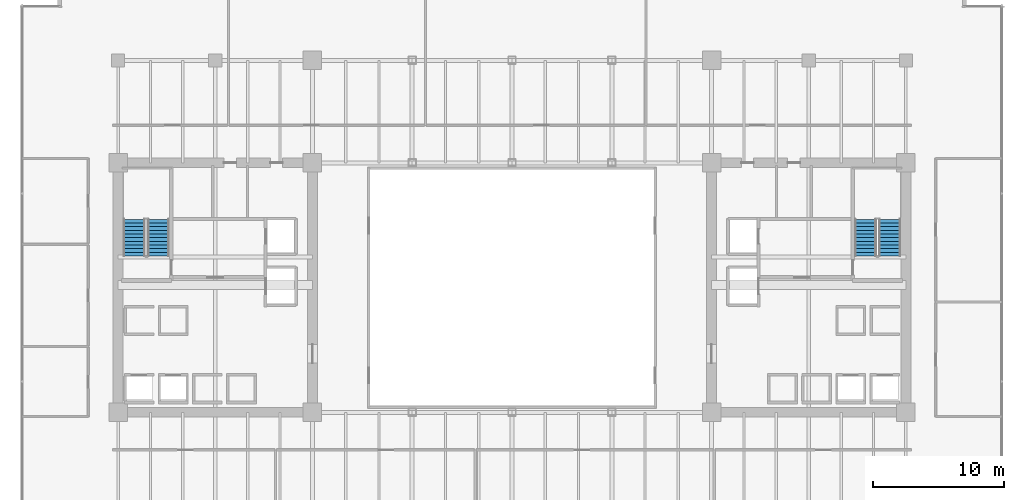
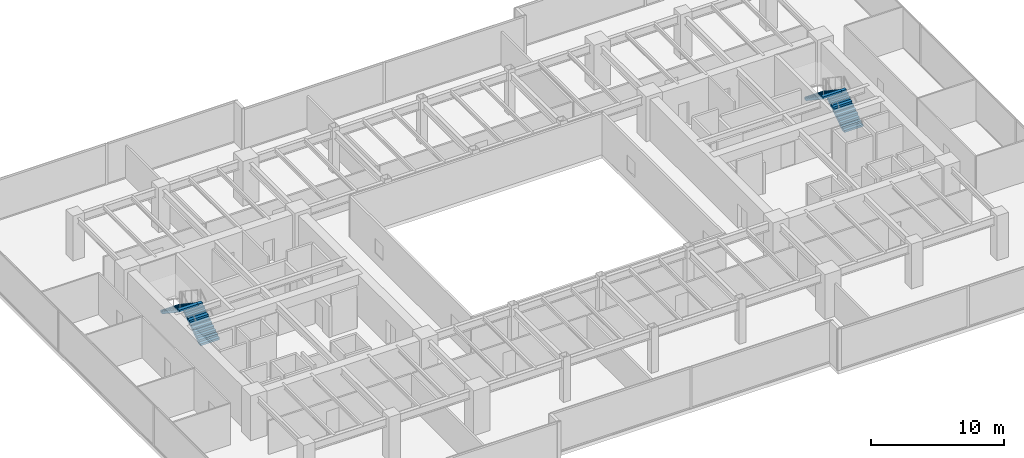
# One storey, part 33 of 35: 4 stair flights, 2 elements without a shape of their own.
"""IFC4 building model written with IfcOpenShell, lengths in metres."""

import ifcopenshell
import ifcopenshell.guid

model = None  # the IFC model being written
_history = None  # IfcOwnerHistory: only IFC2X3 demands one
_inside = {}  # id of a spatial element -> (the spatial element, [elements in it])
_under = {}  # id of a project, library or spatial element -> (it, [spatial elements below it])
_declared = {}  # id of a project -> (the project, [libraries it declares])
_typed = {}  # id of a type object -> (the type object, [elements of that type])
_made_of = {}  # id of a material, layer set ... -> (it, [elements and type objects made of it])


def new_model(schema):
    """Start an empty IFC model of exactly this schema.

    Asked for "IFC4X3", IfcOpenShell would pick the latest addendum, in which some entities
    have other attributes; the version numbers below select the first issue.
    IFC2X3 requires an IfcOwnerHistory on every rooted entity: one is made here for all.
    """
    global model, _history
    if schema == "IFC4X3":
        model = ifcopenshell.file(schema_version=(4, 3, 0, 0))
    else:
        model = ifcopenshell.file(schema=schema)
    _inside.clear()
    _under.clear()
    _declared.clear()
    _typed.clear()
    _made_of.clear()
    _history = None
    if model.schema == "IFC2X3":
        org = make("IfcOrganization", Name="unknown")
        user = make(
            "IfcPersonAndOrganization",
            ThePerson=make("IfcPerson", FamilyName="unknown"),
            TheOrganization=org,
        )
        app = make(
            "IfcApplication",
            ApplicationDeveloper=org,
            Version="unknown",
            ApplicationFullName="unknown",
            ApplicationIdentifier="unknown",
        )
        _history = make(
            "IfcOwnerHistory",
            OwningUser=user,
            OwningApplication=app,
            ChangeAction="ADDED",
            CreationDate=0,
        )
    return model


def make(cls, **values):
    """One entity of the class cls with the attributes given. An attribute that is None is left unset."""
    return model.create_entity(
        cls, **{name: value for name, value in values.items() if value is not None}
    )


def rooted(cls, **values):
    """An entity with a GlobalId (a new one), such as an element, a storey or a relation."""
    return make(cls, GlobalId=ifcopenshell.guid.new(), OwnerHistory=_history, **values)


def si_unit(unit_type, name, prefix=None):
    """IfcSIUnit, for example si_unit("LENGTHUNIT", "METRE", prefix="MILLI")."""
    return make("IfcSIUnit", UnitType=unit_type, Prefix=prefix, Name=name)


def assignment(units):
    """IfcUnitAssignment: the units of a project."""
    return None if units is None else make("IfcUnitAssignment", Units=units)


def point(xyz):
    """IfcCartesianPoint."""
    return None if xyz is None else make("IfcCartesianPoint", Coordinates=xyz)


def direction(xyz):
    """IfcDirection."""
    return None if xyz is None else make("IfcDirection", DirectionRatios=xyz)


def frame(location, z_axis=None, x_axis=None):
    """IfcAxis2Placement3D, a coordinate frame: its origin and axes. An axis left out is left unset."""
    return make(
        "IfcAxis2Placement3D",
        Location=point(location),
        Axis=direction(z_axis),
        RefDirection=direction(x_axis),
    )


def origin():
    """The frame at (0, 0, 0) with its axes left unset."""
    return frame((0.0, 0.0, 0.0))


def place(relative_to, where):
    """IfcLocalPlacement: puts the frame where relative to a parent placement (None: the world)."""
    return make(
        "IfcLocalPlacement", PlacementRelTo=relative_to, RelativePlacement=where
    )


def context(
    kind, dimensions, precision=None, world=None, true_north=None, identifier=None
):
    """IfcGeometricRepresentationContext, for example the 3D "Model" context."""
    return make(
        "IfcGeometricRepresentationContext",
        ContextIdentifier=identifier,
        ContextType=kind,
        CoordinateSpaceDimension=dimensions,
        Precision=precision,
        WorldCoordinateSystem=world,
        TrueNorth=true_north,
    )


def subcontext(parent, identifier, kind, view, scale=None):
    """IfcGeometricRepresentationSubContext, for example "Body" below "Model"."""
    return make(
        "IfcGeometricRepresentationSubContext",
        ContextIdentifier=identifier,
        ContextType=kind,
        ParentContext=parent,
        TargetScale=scale,
        TargetView=view,
    )


def project(units=None, contexts=None):
    """IfcProject with its units and contexts."""
    return rooted(
        "IfcProject",
        Name="project",
        RepresentationContexts=contexts,
        UnitsInContext=assignment(units),
    )


def spatial(cls, under=None, at=None, **own):
    """A site, building, storey or space (cls), placed at a placement, below another one or the project."""
    s = rooted(cls, ObjectPlacement=at, **own)
    if under is not None:
        _under.setdefault(under.id(), (under, []))[1].append(s)
    return s


def polyline(points):
    """IfcPolyline through the points."""
    return make("IfcPolyline", Points=[point(p) for p in points])


def outline(outer, holes=None, kind="AREA"):
    """IfcArbitraryClosedProfileDef: a profile drawn as a closed curve; with holes, ...WithVoids."""
    if holes is None:
        return make("IfcArbitraryClosedProfileDef", ProfileType=kind, OuterCurve=outer)
    return make(
        "IfcArbitraryProfileDefWithVoids",
        ProfileType=kind,
        OuterCurve=outer,
        InnerCurves=holes,
    )


def extrude(swept, where, along, depth):
    """IfcExtrudedAreaSolid: the profile swept, set in the frame where, extruded along a direction by depth."""
    return make(
        "IfcExtrudedAreaSolid",
        SweptArea=swept,
        Position=where,
        ExtrudedDirection=direction(along),
        Depth=depth,
    )


def shape(context_of_items, identifier, shape_type, items):
    """IfcShapeRepresentation: the items that make up one representation, for example the "Body"."""
    return make(
        "IfcShapeRepresentation",
        ContextOfItems=context_of_items,
        RepresentationIdentifier=identifier,
        RepresentationType=shape_type,
        Items=items,
    )


def source(mapping_origin, context_of_items, identifier, shape_type, items):
    """IfcRepresentationMap: a shape defined once, which mapped items show again and again."""
    return make(
        "IfcRepresentationMap",
        MappingOrigin=mapping_origin,
        MappedRepresentation=shape(context_of_items, identifier, shape_type, items),
    )


def transform(
    local_origin,
    x_axis=None,
    y_axis=None,
    z_axis=None,
    scale=None,
    scale2=None,
    scale3=None,
    uniform=True,
):
    """IfcCartesianTransformationOperator3D, or its non-uniform kind. x_axis, y_axis, z_axis: its Axis1, 2, 3."""
    if uniform:
        return make(
            "IfcCartesianTransformationOperator3D",
            Axis1=direction(x_axis),
            Axis2=direction(y_axis),
            LocalOrigin=point(local_origin),
            Scale=scale,
            Axis3=direction(z_axis),
        )
    return make(
        "IfcCartesianTransformationOperator3DnonUniform",
        Axis1=direction(x_axis),
        Axis2=direction(y_axis),
        LocalOrigin=point(local_origin),
        Scale=scale,
        Axis3=direction(z_axis),
        Scale2=scale2,
        Scale3=scale3,
    )


def mapped(mapping_source, mapping_target):
    """IfcMappedItem: shows the shape of a source again, moved by a transform."""
    return make(
        "IfcMappedItem", MappingSource=mapping_source, MappingTarget=mapping_target
    )


def material(Name=None, Category=None):
    """IfcMaterial."""
    return make("IfcMaterial", Name=Name, Category=Category)


def made_of(thing, what):
    """Note that an element or type object is made of a material, layer set ...; save() writes the relation."""
    if what is not None:
        _made_of.setdefault(what.id(), (what, []))[1].append(thing)
    return thing


def type_object(cls, material=None, **own):
    """A type object (cls), such as IfcWallType, which elements share."""
    return made_of(rooted(cls, **own), material)


def type_shapes(of_type, sources):
    """Give a type object the sources (RepresentationMaps) that its elements show as mapped items."""
    of_type.RepresentationMaps = sources


def element(
    cls,
    number,
    at=None,
    inside=None,
    cuts=None,
    type_object=None,
    material=None,
    context=None,
    identifier="Body",
    shape_type=None,
    held_by="IfcProductDefinitionShape",
    body=None,
    shapes=None,
    **own,
):
    """One element of the class cls, such as IfcWall. Its Tag is "e" and its number.

    at: its placement. inside: the storey or other place that contains it. cuts: it is an
    opening in that element (IfcRelVoidsElement). A single representation is given by context,
    identifier, shape_type and body (its items); several are given by shapes. held_by: the class
    of the entity that holds the representations. save() writes the other relations.
    """
    e = rooted(cls, Tag="e%d" % number, ObjectPlacement=at, **own)
    if body is not None:
        shapes = [shape(context, identifier, shape_type, body)]
    if shapes is not None:
        e.Representation = make(held_by, Representations=shapes)
    if inside is not None:
        _inside.setdefault(inside.id(), (inside, []))[1].append(e)
    if cuts is not None:
        rooted(
            "IfcRelVoidsElement", RelatingBuildingElement=cuts, RelatedOpeningElement=e
        )
    if type_object is not None:
        _typed.setdefault(type_object.id(), (type_object, []))[1].append(e)
    return made_of(e, material)


def aggregate(whole, parts):
    """IfcRelAggregates: a whole, such as a stair, and the parts it consists of."""
    return rooted("IfcRelAggregates", RelatingObject=whole, RelatedObjects=parts)


def save(model, path):
    """Write the relations noted so far, then the file.

    IfcRelAggregates (storeys below a building ...), IfcRelContainedInSpatialStructure (elements
    in a storey), IfcRelDefinesByType, IfcRelAssociatesMaterial and IfcRelDeclares: one each for
    every whole, place, type object, material and project.
    """
    for whole, parts in _under.values():
        aggregate(whole, parts)
    for where, things in _inside.values():
        rooted(
            "IfcRelContainedInSpatialStructure",
            RelatedElements=things,
            RelatingStructure=where,
        )
    for kind, things in _typed.values():
        rooted("IfcRelDefinesByType", RelatedObjects=things, RelatingType=kind)
    for what, things in _made_of.values():
        rooted("IfcRelAssociatesMaterial", RelatedObjects=things, RelatingMaterial=what)
    for by, libraries in _declared.values():
        rooted("IfcRelDeclares", RelatingContext=by, RelatedDefinitions=libraries)
    model.write(path)


model = new_model("IFC4")

# Units and contexts
model_context = context("Model", 3, precision=1e-05, world=origin(), true_north=direction((0.0, 1.0)))
body_context = subcontext(model_context, "Body", "Model", "MODEL_VIEW")
ifc_project = project(units=[si_unit("LENGTHUNIT", "METRE"), si_unit("AREAUNIT", "SQUARE_METRE"), si_unit("VOLUMEUNIT", "CUBIC_METRE"), si_unit("PLANEANGLEUNIT", "RADIAN"), si_unit("MASSUNIT", "GRAM", prefix="KILO")], contexts=[model_context])

# Site, building, storey
site_placement = place(None, origin())
site = spatial("IfcSite", under=ifc_project, at=site_placement, CompositionType="ELEMENT")
building_placement = place(site_placement, origin())
building = spatial("IfcBuilding", under=site, at=building_placement, Name="Haelvirn Gate Laboratories", CompositionType="ELEMENT")
storey_placement = place(building_placement, frame((0.0, 0.0, 37.5)))
storey = spatial("IfcBuildingStorey", under=building, at=storey_placement, Name="L09", CompositionType="ELEMENT", Elevation=37.5)

# Stair, stair flights
ifc_material = material(Name="Concrete C40/50", Category="concrete")
stair_type = type_object("IfcStairType", Name="ST-DOG-1650-R22", PredefinedType="HALF_TURN_STAIR", material=ifc_material)
stair_1_placement = place(storey_placement, origin())
stair_1 = element("IfcStair", 1, at=stair_1_placement, inside=storey, type_object=stair_type, Name="L09 Escape Stair ST1", PredefinedType="HALF_TURN_STAIR")
stair_flight_type = type_object("IfcStairFlightType", Name="STF-1650-R11", PredefinedType="STRAIGHT", material=ifc_material)
shared_shape = source(origin(), body_context, "Body", "SweptSolid", [
    extrude(outline(polyline([(0.0, 0.0), (0.0, 0.186279296875), (0.280029296875, 0.186279296875), (0.280029296875, 0.372802734375), (0.56005859375, 0.372802734375), (0.56005859375, 0.55908203125), (0.840087890625, 0.55908203125), (0.840087890625, 0.745361328125), (1.1201171875, 0.745361328125), (1.1201171875, 0.931884765625), (1.39990234375, 0.931884765625), (1.39990234375, 1.1181640625), (1.679931640625, 1.1181640625), (1.679931640625, 1.304443359375), (1.9599609375, 1.304443359375), (1.9599609375, 1.490966796875), (2.239990234375, 1.490966796875), (2.239990234375, 1.67724609375), (2.52001953125, 1.67724609375), (2.52001953125, 1.863525390625), (2.800048828125, 1.863525390625), (2.800048828125, 2.050048828125), (2.800048828125, 1.671630859375), (0.28857421875, 0.0), (0.0, 0.0)])), frame((0.0, 0.824951171875, 0.0), z_axis=(0.0, -1.0, 0.0), x_axis=(1.0, 0.0, 0.0)), (0.0, 0.0, 1.0), 1.64990234375),
])
type_shapes(stair_flight_type, [shared_shape])
stair_flight_1_placement = place(storey_placement, frame((10.47509765625, 26.699951171875, 0.0), z_axis=(0.0, 0.0, 1.0), x_axis=(0.0, 1.0, 0.0)))
stair_flight_1 = element("IfcStairFlight", 2, at=stair_flight_1_placement, type_object=stair_flight_type, Name="ST1 flight 1", NumberOfRisers=11, NumberOfTreads=10, PredefinedType="STRAIGHT", RiserHeight=0.186363636, TreadLength=0.28, context=body_context, shape_type="MappedRepresentation", body=[
    mapped(shared_shape, transform((0.0, 0.0, 0.0), scale=1.0)),
])
stair_flight_2_placement = place(storey_placement, frame((8.625, 29.5, 2.050048828125), z_axis=(0.0, 0.0, 1.0), x_axis=(0.0, -1.0, 0.0)))
stair_flight_2 = element("IfcStairFlight", 3, at=stair_flight_2_placement, type_object=stair_flight_type, Name="ST1 flight 2", NumberOfRisers=11, NumberOfTreads=10, PredefinedType="STRAIGHT", RiserHeight=0.186363636, TreadLength=0.28, context=body_context, shape_type="MappedRepresentation", body=[
    mapped(shared_shape, transform((0.0, 0.0, 0.0), scale=1.0)),
])
aggregate(stair_1, [stair_flight_1, stair_flight_2])

stair_2_placement = place(storey_placement, origin())
stair_2 = element("IfcStair", 4, at=stair_2_placement, inside=storey, type_object=stair_type, Name="L09 Escape Stair ST2", PredefinedType="HALF_TURN_STAIR")
stair_flight_3_placement = place(storey_placement, frame((66.175048828125, 26.699951171875, 0.0), z_axis=(0.0, 0.0, 1.0), x_axis=(0.0, 1.0, 0.0)))
stair_flight_3 = element("IfcStairFlight", 5, at=stair_flight_3_placement, type_object=stair_flight_type, Name="ST2 flight 1", NumberOfRisers=11, NumberOfTreads=10, PredefinedType="STRAIGHT", RiserHeight=0.186363636, TreadLength=0.28, context=body_context, shape_type="MappedRepresentation", body=[
    mapped(shared_shape, transform((0.0, 0.0, 0.0), scale=1.0)),
])
stair_flight_4_placement = place(storey_placement, frame((64.324951171875, 29.5, 2.050048828125), z_axis=(0.0, 0.0, 1.0), x_axis=(0.0, -1.0, 0.0)))
stair_flight_4 = element("IfcStairFlight", 6, at=stair_flight_4_placement, type_object=stair_flight_type, Name="ST2 flight 2", NumberOfRisers=11, NumberOfTreads=10, PredefinedType="STRAIGHT", RiserHeight=0.186363636, TreadLength=0.28, context=body_context, shape_type="MappedRepresentation", body=[
    mapped(shared_shape, transform((0.0, 0.0, 0.0), scale=1.0)),
])
aggregate(stair_2, [stair_flight_3, stair_flight_4])

save(model, "model.ifc")
